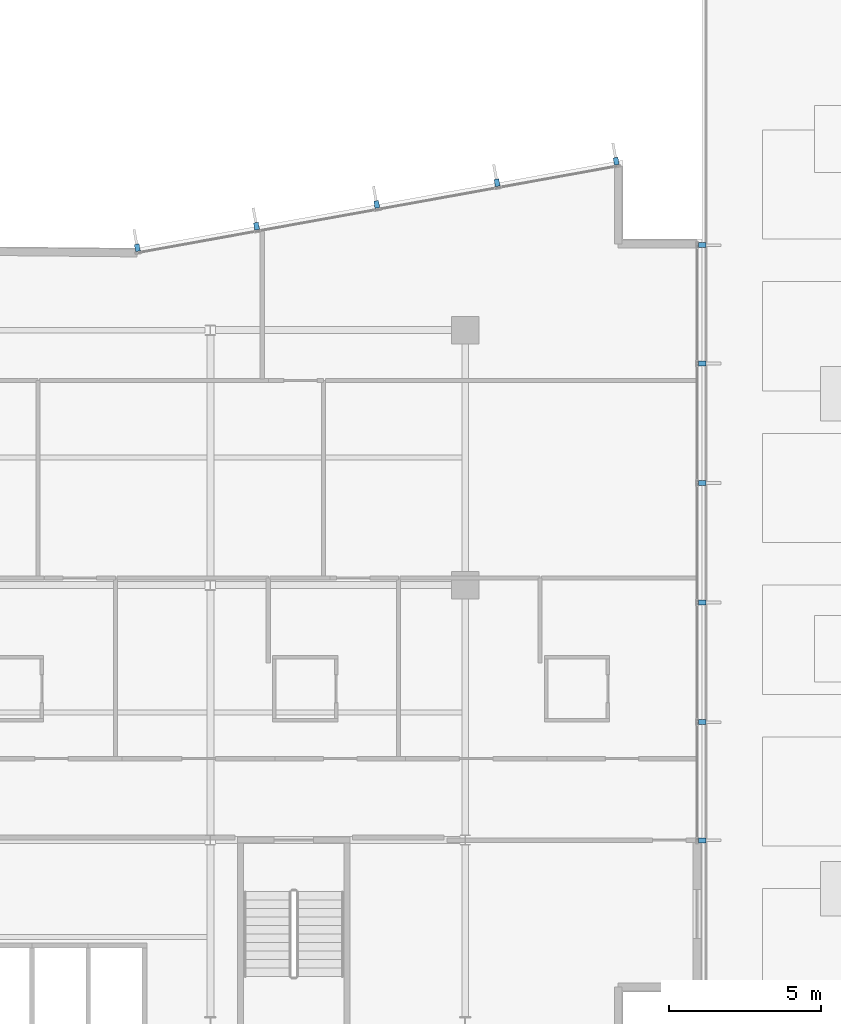
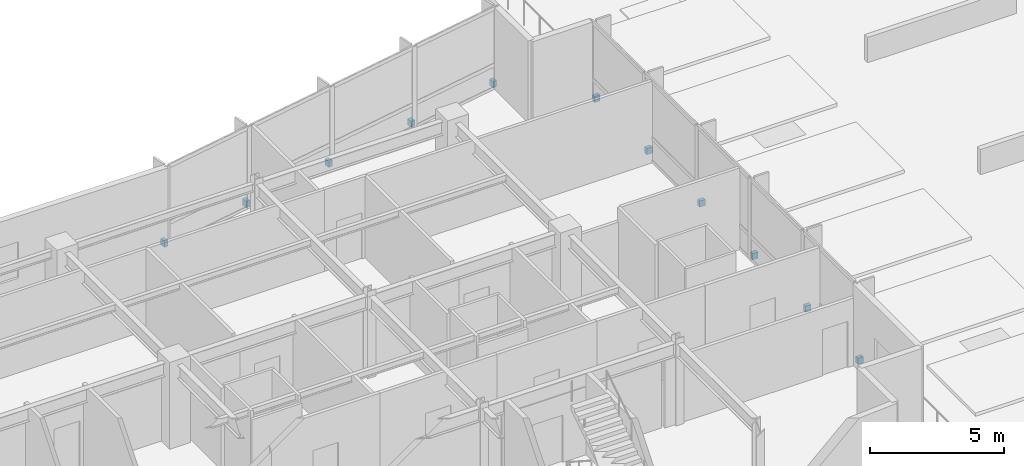
# One storey, part 15 of 20: 11 discrete accessories.
"""IFC4 building model written with IfcOpenShell, lengths in metres."""

import ifcopenshell
import ifcopenshell.guid

model = None  # the IFC model being written
_history = None  # IfcOwnerHistory: only IFC2X3 demands one
_inside = {}  # id of a spatial element -> (the spatial element, [elements in it])
_under = {}  # id of a project, library or spatial element -> (it, [spatial elements below it])
_declared = {}  # id of a project -> (the project, [libraries it declares])
_typed = {}  # id of a type object -> (the type object, [elements of that type])
_made_of = {}  # id of a material, layer set ... -> (it, [elements and type objects made of it])


def new_model(schema):
    """Start an empty IFC model of exactly this schema.

    Asked for "IFC4X3", IfcOpenShell would pick the latest addendum, in which some entities
    have other attributes; the version numbers below select the first issue.
    IFC2X3 requires an IfcOwnerHistory on every rooted entity: one is made here for all.
    """
    global model, _history
    if schema == "IFC4X3":
        model = ifcopenshell.file(schema_version=(4, 3, 0, 0))
    else:
        model = ifcopenshell.file(schema=schema)
    _inside.clear()
    _under.clear()
    _declared.clear()
    _typed.clear()
    _made_of.clear()
    _history = None
    if model.schema == "IFC2X3":
        org = make("IfcOrganization", Name="unknown")
        user = make(
            "IfcPersonAndOrganization",
            ThePerson=make("IfcPerson", FamilyName="unknown"),
            TheOrganization=org,
        )
        app = make(
            "IfcApplication",
            ApplicationDeveloper=org,
            Version="unknown",
            ApplicationFullName="unknown",
            ApplicationIdentifier="unknown",
        )
        _history = make(
            "IfcOwnerHistory",
            OwningUser=user,
            OwningApplication=app,
            ChangeAction="ADDED",
            CreationDate=0,
        )
    return model


def make(cls, **values):
    """One entity of the class cls with the attributes given. An attribute that is None is left unset."""
    return model.create_entity(
        cls, **{name: value for name, value in values.items() if value is not None}
    )


def rooted(cls, **values):
    """An entity with a GlobalId (a new one), such as an element, a storey or a relation."""
    return make(cls, GlobalId=ifcopenshell.guid.new(), OwnerHistory=_history, **values)


def si_unit(unit_type, name, prefix=None):
    """IfcSIUnit, for example si_unit("LENGTHUNIT", "METRE", prefix="MILLI")."""
    return make("IfcSIUnit", UnitType=unit_type, Prefix=prefix, Name=name)


def assignment(units):
    """IfcUnitAssignment: the units of a project."""
    return None if units is None else make("IfcUnitAssignment", Units=units)


def point(xyz):
    """IfcCartesianPoint."""
    return None if xyz is None else make("IfcCartesianPoint", Coordinates=xyz)


def direction(xyz):
    """IfcDirection."""
    return None if xyz is None else make("IfcDirection", DirectionRatios=xyz)


def frame(location, z_axis=None, x_axis=None):
    """IfcAxis2Placement3D, a coordinate frame: its origin and axes. An axis left out is left unset."""
    return make(
        "IfcAxis2Placement3D",
        Location=point(location),
        Axis=direction(z_axis),
        RefDirection=direction(x_axis),
    )


def frame_2d(location, x_axis=None):
    """IfcAxis2Placement2D, a coordinate frame in the plane: its origin and x axis."""
    return make(
        "IfcAxis2Placement2D", Location=point(location), RefDirection=direction(x_axis)
    )


def origin():
    """The frame at (0, 0, 0) with its axes left unset."""
    return frame((0.0, 0.0, 0.0))


def origin_2d():
    """The frame at (0, 0) in the plane with its x axis left unset."""
    return frame_2d((0.0, 0.0))


def place(relative_to, where):
    """IfcLocalPlacement: puts the frame where relative to a parent placement (None: the world)."""
    return make(
        "IfcLocalPlacement", PlacementRelTo=relative_to, RelativePlacement=where
    )


def context(
    kind, dimensions, precision=None, world=None, true_north=None, identifier=None
):
    """IfcGeometricRepresentationContext, for example the 3D "Model" context."""
    return make(
        "IfcGeometricRepresentationContext",
        ContextIdentifier=identifier,
        ContextType=kind,
        CoordinateSpaceDimension=dimensions,
        Precision=precision,
        WorldCoordinateSystem=world,
        TrueNorth=true_north,
    )


def subcontext(parent, identifier, kind, view, scale=None):
    """IfcGeometricRepresentationSubContext, for example "Body" below "Model"."""
    return make(
        "IfcGeometricRepresentationSubContext",
        ContextIdentifier=identifier,
        ContextType=kind,
        ParentContext=parent,
        TargetScale=scale,
        TargetView=view,
    )


def project(units=None, contexts=None):
    """IfcProject with its units and contexts."""
    return rooted(
        "IfcProject",
        Name="project",
        RepresentationContexts=contexts,
        UnitsInContext=assignment(units),
    )


def spatial(cls, under=None, at=None, **own):
    """A site, building, storey or space (cls), placed at a placement, below another one or the project."""
    s = rooted(cls, ObjectPlacement=at, **own)
    if under is not None:
        _under.setdefault(under.id(), (under, []))[1].append(s)
    return s


def profile(cls, at=None, kind="AREA", **sizes):
    """A parametric profile (cls). Its sizes go by their IFC names, for example OverallWidth=200.0."""
    return make(cls, ProfileType=kind, Position=at, **sizes)


def rectangle(**sizes):
    """IfcRectangleProfileDef."""
    return profile("IfcRectangleProfileDef", **sizes)


def extrude(swept, where, along, depth):
    """IfcExtrudedAreaSolid: the profile swept, set in the frame where, extruded along a direction by depth."""
    return make(
        "IfcExtrudedAreaSolid",
        SweptArea=swept,
        Position=where,
        ExtrudedDirection=direction(along),
        Depth=depth,
    )


def shape(context_of_items, identifier, shape_type, items):
    """IfcShapeRepresentation: the items that make up one representation, for example the "Body"."""
    return make(
        "IfcShapeRepresentation",
        ContextOfItems=context_of_items,
        RepresentationIdentifier=identifier,
        RepresentationType=shape_type,
        Items=items,
    )


def material(Name=None, Category=None):
    """IfcMaterial."""
    return make("IfcMaterial", Name=Name, Category=Category)


def made_of(thing, what):
    """Note that an element or type object is made of a material, layer set ...; save() writes the relation."""
    if what is not None:
        _made_of.setdefault(what.id(), (what, []))[1].append(thing)
    return thing


def type_object(cls, material=None, **own):
    """A type object (cls), such as IfcWallType, which elements share."""
    return made_of(rooted(cls, **own), material)


def element(
    cls,
    number,
    at=None,
    inside=None,
    cuts=None,
    type_object=None,
    material=None,
    context=None,
    identifier="Body",
    shape_type=None,
    held_by="IfcProductDefinitionShape",
    body=None,
    shapes=None,
    **own,
):
    """One element of the class cls, such as IfcWall. Its Tag is "e" and its number.

    at: its placement. inside: the storey or other place that contains it. cuts: it is an
    opening in that element (IfcRelVoidsElement). A single representation is given by context,
    identifier, shape_type and body (its items); several are given by shapes. held_by: the class
    of the entity that holds the representations. save() writes the other relations.
    """
    e = rooted(cls, Tag="e%d" % number, ObjectPlacement=at, **own)
    if body is not None:
        shapes = [shape(context, identifier, shape_type, body)]
    if shapes is not None:
        e.Representation = make(held_by, Representations=shapes)
    if inside is not None:
        _inside.setdefault(inside.id(), (inside, []))[1].append(e)
    if cuts is not None:
        rooted(
            "IfcRelVoidsElement", RelatingBuildingElement=cuts, RelatedOpeningElement=e
        )
    if type_object is not None:
        _typed.setdefault(type_object.id(), (type_object, []))[1].append(e)
    return made_of(e, material)


def aggregate(whole, parts):
    """IfcRelAggregates: a whole, such as a stair, and the parts it consists of."""
    return rooted("IfcRelAggregates", RelatingObject=whole, RelatedObjects=parts)


def save(model, path):
    """Write the relations noted so far, then the file.

    IfcRelAggregates (storeys below a building ...), IfcRelContainedInSpatialStructure (elements
    in a storey), IfcRelDefinesByType, IfcRelAssociatesMaterial and IfcRelDeclares: one each for
    every whole, place, type object, material and project.
    """
    for whole, parts in _under.values():
        aggregate(whole, parts)
    for where, things in _inside.values():
        rooted(
            "IfcRelContainedInSpatialStructure",
            RelatedElements=things,
            RelatingStructure=where,
        )
    for kind, things in _typed.values():
        rooted("IfcRelDefinesByType", RelatedObjects=things, RelatingType=kind)
    for what, things in _made_of.values():
        rooted("IfcRelAssociatesMaterial", RelatedObjects=things, RelatingMaterial=what)
    for by, libraries in _declared.values():
        rooted("IfcRelDeclares", RelatingContext=by, RelatedDefinitions=libraries)
    model.write(path)


model = new_model("IFC4")

# Units and contexts
model_context = context("Model", 3, precision=1e-05, world=origin(), true_north=direction((0.0, 1.0)))
body_context = subcontext(model_context, "Body", "Model", "MODEL_VIEW")
ifc_project = project(units=[si_unit("LENGTHUNIT", "METRE"), si_unit("AREAUNIT", "SQUARE_METRE"), si_unit("VOLUMEUNIT", "CUBIC_METRE"), si_unit("PLANEANGLEUNIT", "RADIAN"), si_unit("MASSUNIT", "GRAM", prefix="KILO")], contexts=[model_context])

# Site, building, storey
site_placement = place(None, origin())
site = spatial("IfcSite", under=ifc_project, at=site_placement, CompositionType="ELEMENT")
building_placement = place(site_placement, origin())
building = spatial("IfcBuilding", under=site, at=building_placement, Name="Varnakote Quay Hospital", CompositionType="ELEMENT")
storey_placement = place(building_placement, frame((0.0, 0.0, 22.5)))
storey = spatial("IfcBuildingStorey", under=building, at=storey_placement, Name="L05", CompositionType="ELEMENT", Elevation=22.5)

# Discrete accessories
ifc_material = material(Name="Anodised aluminium 6063-T6 Bronze", Category="aluminium")
discrete_accessory_type = type_object("IfcDiscreteAccessoryType", Name="ACC-FIN-BRACKET-180", PredefinedType="BRACKET", material=ifc_material)
for number, where, z_axis, x_axis, name in (
    (1, (58.2099609375, 11.987548828125, 0.0), (0.0, 0.0, 1.0), (0.0, 1.0, 0.0), "L05 Curtain Wall Fin Fixing Bracket"),
    (2, (58.2099609375, 15.887939453125, 0.0), (0.0, 0.0, 1.0), (0.0, 1.0, 0.0), "L05 Curtain Wall Fin Fixing Bracket"),
    (3, (58.2099609375, 19.825927734375, 0.0), (0.0, 0.0, 1.0), (0.0, 1.0, 0.0), "L05 Curtain Wall Fin Fixing Bracket"),
    (4, (58.2099609375, 23.763916015625, 0.0), (0.0, 0.0, 1.0), (0.0, 1.0, 0.0), "L05 Curtain Wall Fin Fixing Bracket"),
    (5, (58.2099609375, 27.701904296875, 0.0), (0.0, 0.0, 1.0), (0.0, 1.0, 0.0), "L05 Curtain Wall Fin Fixing Bracket"),
    (6, (58.2099609375, 31.6025390625, 0.0), (0.0, 0.0, 1.0), (0.0, 1.0, 0.0), "L05 Curtain Wall Fin Fixing Bracket"),
    (7, (55.372802734375, 34.369140625, 0.0), (0.0, 0.0, 1.0), (-0.984071739666, -0.177771795263, 0.0), "L05 Curtain Wall Fin Fixing Bracket"),
    (8, (51.447265625, 33.65966796875, 0.0), (0.0, 0.0, 1.0), (-0.984071739666, -0.177771795263, 0.0), "L05 Curtain Wall Fin Fixing Bracket"),
    (9, (47.484619140625, 32.943603515625, 0.0), (0.0, 0.0, 1.0), (-0.984071739666, -0.177771795263, 0.0), "L05 Curtain Wall Fin Fixing Bracket"),
    (10, (43.52197265625, 32.227294921875, 0.0), (0.0, 0.0, 1.0), (-0.984071739666, -0.177771795263, 0.0), "L05 Curtain Wall Fin Fixing Bracket"),
    (11, (39.59619140625, 31.517822265625, 0.0), (0.0, 0.0, 1.0), (-0.984071739666, -0.177771795263, 0.0), "L05 Curtain Wall Fin Fixing Bracket"),
):
    element("IfcDiscreteAccessory", number, at=place(storey_placement, frame(where, z_axis=z_axis, x_axis=x_axis)), inside=storey, type_object=discrete_accessory_type, Name=name, PredefinedType="BRACKET", context=body_context, shape_type="SweptSolid", body=[
        extrude(rectangle(XDim=0.159912109375, YDim=0.239990234375, at=origin_2d()), origin(), (0.0, 0.0, 1.0), 0.280029296875),
    ])

save(model, "model.ifc")
